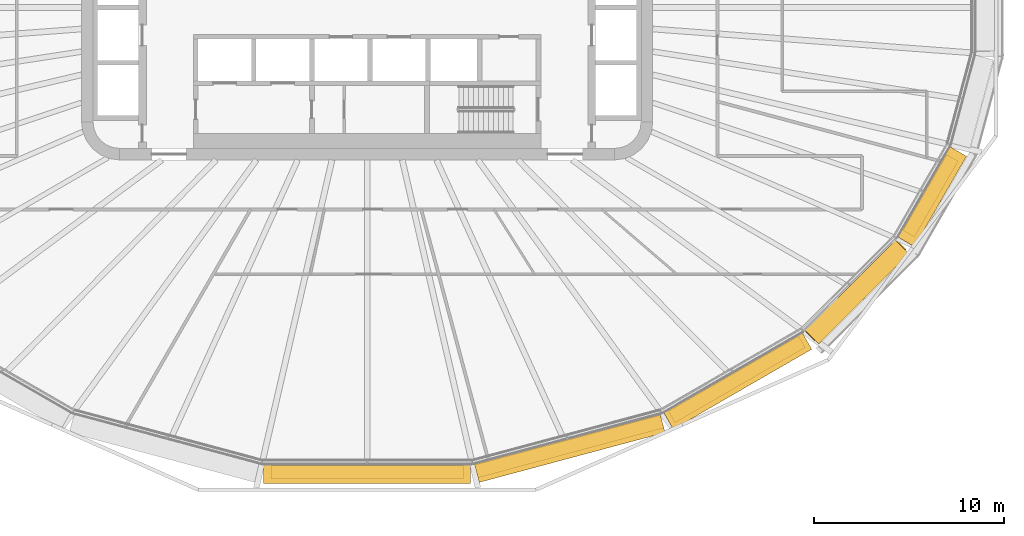
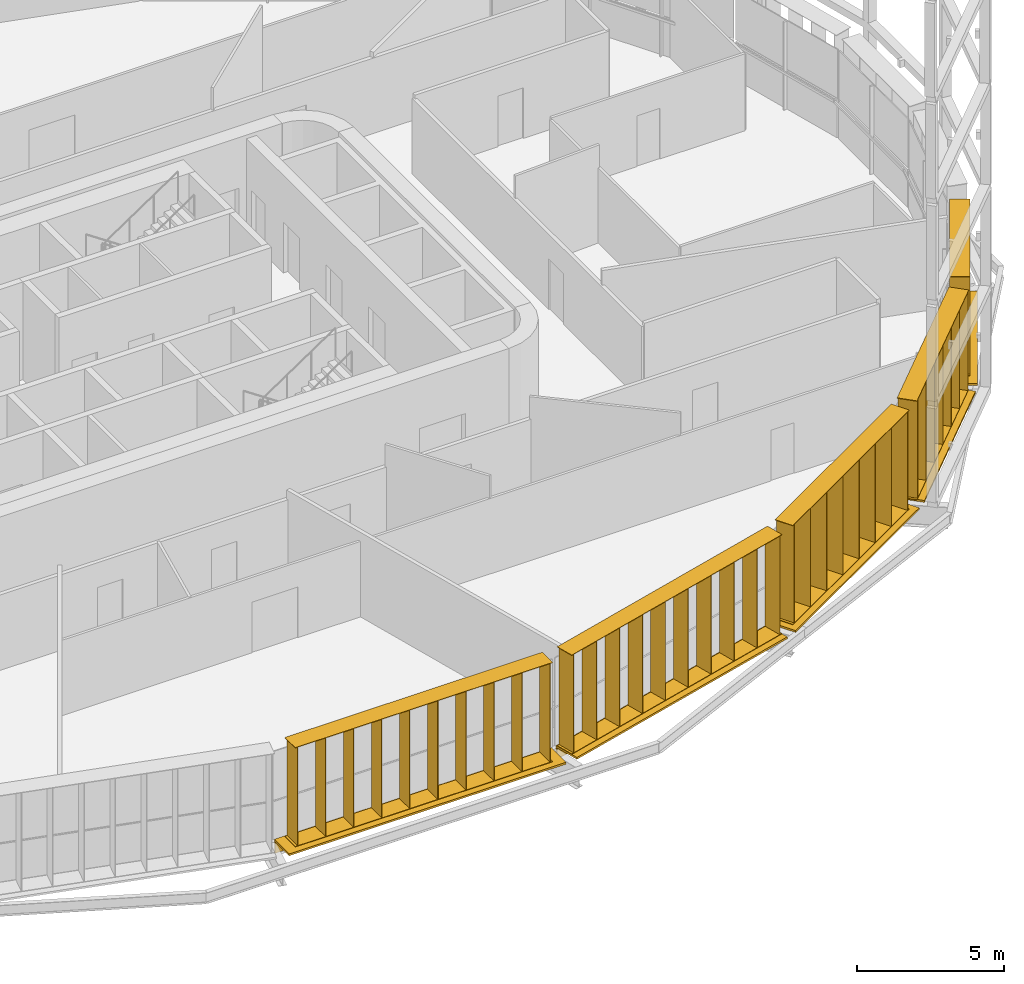
# One storey, part 22 of 26: 10 shading devices.
"""IFC4 building model written with IfcOpenShell, lengths in metres."""

from ifc_helpers import new_model, si_unit, direction, frame, origin, origin_2d, place, context, subcontext, project, spatial, rectangle, extrude, material, type_object, element, save


model = new_model("IFC4")

# Units and contexts
model_context = context("Model", 3, precision=1e-05, world=origin(), true_north=direction((0.0, 1.0)))
body_context = subcontext(model_context, "Body", "Model", "MODEL_VIEW")
ifc_project = project(units=[si_unit("LENGTHUNIT", "METRE"), si_unit("AREAUNIT", "SQUARE_METRE"), si_unit("VOLUMEUNIT", "CUBIC_METRE"), si_unit("PLANEANGLEUNIT", "RADIAN"), si_unit("MASSUNIT", "GRAM", prefix="KILO")], contexts=[model_context])

# Site, building, storey
site_placement = place(None, origin())
site = spatial("IfcSite", under=ifc_project, at=site_placement, CompositionType="ELEMENT")
building_placement = place(site_placement, origin())
building = spatial("IfcBuilding", under=site, at=building_placement, Name="Sahrelin Media Tower", CompositionType="ELEMENT")
storey_placement = place(building_placement, frame((0.0, 0.0, 102.0)))
storey = spatial("IfcBuildingStorey", under=building, at=storey_placement, Name="L19", CompositionType="ELEMENT", Elevation=102.0)

# Shading devices
ifc_material = material(Name="Champagne anodised aluminium 6063-T6", Category="aluminium")
shading_device_type_1 = type_object("IfcShadingDeviceType", Name="Fin cassette", PredefinedType="USERDEFINED", material=ifc_material)
placement_1 = place(storey_placement, frame((0.0, -23.97705078125, 0.0), z_axis=(0.0, 0.0, 1.0), x_axis=(-1.0, 0.0, 0.0)))
element("IfcShadingDevice", 1, at=placement_1, inside=storey, type_object=shading_device_type_1, Name="L19:FIN:L19-18", ObjectType="FIN", PredefinedType="USERDEFINED", context=body_context, shape_type="SweptSolid", body=[
    extrude(rectangle(XDim=10.10009765625, YDim=0.699951171875, at=origin_2d()), frame((0.0, 0.419921875, 0.0)), (0.0, 0.0, 1.0), 0.02001953125),
    extrude(rectangle(XDim=10.10009765625, YDim=0.699951171875, at=origin_2d()), frame((0.0, 0.419921875, 4.10009765625)), (0.0, 0.0, 1.0), 0.02001953125),
    extrude(rectangle(XDim=0.02001953125, YDim=0.699951171875, at=origin_2d()), frame((-4.949951171875, 0.419921875, 0.010009765625), z_axis=(0.0, 0.0, 1.0), x_axis=(1.0, 0.0, 0.0)), (0.0, 0.0, 1.0), 4.10009765625),
    extrude(rectangle(XDim=0.02001953125, YDim=0.699951171875, at=origin_2d()), frame((-3.85009765625, 0.419921875, 0.010009765625), z_axis=(0.0, 0.0, 1.0), x_axis=(1.0, 0.0, 0.0)), (0.0, 0.0, 1.0), 4.10009765625),
    extrude(rectangle(XDim=0.02001953125, YDim=0.699951171875, at=origin_2d()), frame((-2.75, 0.419921875, 0.010009765625), z_axis=(0.0, 0.0, 1.0), x_axis=(1.0, 0.0, 0.0)), (0.0, 0.0, 1.0), 4.10009765625),
    extrude(rectangle(XDim=0.02001953125, YDim=0.699951171875, at=origin_2d()), frame((-1.64990234375, 0.419921875, 0.010009765625), z_axis=(0.0, 0.0, 1.0), x_axis=(1.0, 0.0, 0.0)), (0.0, 0.0, 1.0), 4.10009765625),
    extrude(rectangle(XDim=0.02001953125, YDim=0.699951171875, at=origin_2d()), frame((-0.550048828125, 0.419921875, 0.010009765625), z_axis=(0.0, 0.0, 1.0), x_axis=(1.0, 0.0, 0.0)), (0.0, 0.0, 1.0), 4.10009765625),
    extrude(rectangle(XDim=0.02001953125, YDim=0.699951171875, at=origin_2d()), frame((0.550048828125, 0.419921875, 0.010009765625), z_axis=(0.0, 0.0, 1.0), x_axis=(1.0, 0.0, 0.0)), (0.0, 0.0, 1.0), 4.10009765625),
    extrude(rectangle(XDim=0.02001953125, YDim=0.699951171875, at=origin_2d()), frame((1.64990234375, 0.419921875, 0.010009765625), z_axis=(0.0, 0.0, 1.0), x_axis=(1.0, 0.0, 0.0)), (0.0, 0.0, 1.0), 4.10009765625),
    extrude(rectangle(XDim=0.02001953125, YDim=0.699951171875, at=origin_2d()), frame((2.75, 0.419921875, 0.010009765625), z_axis=(0.0, 0.0, 1.0), x_axis=(1.0, 0.0, 0.0)), (0.0, 0.0, 1.0), 4.10009765625),
    extrude(rectangle(XDim=0.02001953125, YDim=0.699951171875, at=origin_2d()), frame((3.85009765625, 0.419921875, 0.010009765625), z_axis=(0.0, 0.0, 1.0), x_axis=(1.0, 0.0, 0.0)), (0.0, 0.0, 1.0), 4.10009765625),
    extrude(rectangle(XDim=0.02001953125, YDim=0.699951171875, at=origin_2d()), frame((4.949951171875, 0.419921875, 0.010009765625), z_axis=(0.0, 0.0, 1.0), x_axis=(1.0, 0.0, 0.0)), (0.0, 0.0, 1.0), 4.10009765625),
])
placement_2 = place(storey_placement, frame((10.50732421875, -22.643798828125, 0.0), z_axis=(0.0, 0.0, 1.0), x_axis=(-0.965928857556, -0.258807731996, 0.0)))
element("IfcShadingDevice", 2, at=placement_2, inside=storey, type_object=shading_device_type_1, Name="L19:FIN:L19-19", ObjectType="FIN", PredefinedType="USERDEFINED", context=body_context, shape_type="SweptSolid", body=[
    extrude(rectangle(XDim=10.10009765625, YDim=0.699951171875, at=origin_2d()), frame((0.0, 0.419921875, 0.0)), (0.0, 0.0, 1.0), 0.02001953125),
    extrude(rectangle(XDim=10.10009765625, YDim=0.699951171875, at=origin_2d()), frame((0.0, 0.419921875, 4.10009765625)), (0.0, 0.0, 1.0), 0.02001953125),
    extrude(rectangle(XDim=0.02001953125, YDim=0.699951171875, at=origin_2d()), frame((-4.949951171875, 0.419921875, 0.010009765625), z_axis=(0.0, 0.0, 1.0), x_axis=(1.0, 0.0, 0.0)), (0.0, 0.0, 1.0), 4.10009765625),
    extrude(rectangle(XDim=0.02001953125, YDim=0.699951171875, at=origin_2d()), frame((-3.85009765625, 0.419921875, 0.010009765625), z_axis=(0.0, 0.0, 1.0), x_axis=(1.0, 0.0, 0.0)), (0.0, 0.0, 1.0), 4.10009765625),
    extrude(rectangle(XDim=0.02001953125, YDim=0.699951171875, at=origin_2d()), frame((-2.75, 0.419921875, 0.010009765625), z_axis=(0.0, 0.0, 1.0), x_axis=(1.0, 0.0, 0.0)), (0.0, 0.0, 1.0), 4.10009765625),
    extrude(rectangle(XDim=0.02001953125, YDim=0.699951171875, at=origin_2d()), frame((-1.64990234375, 0.419921875, 0.010009765625), z_axis=(0.0, 0.0, 1.0), x_axis=(1.0, 0.0, 0.0)), (0.0, 0.0, 1.0), 4.10009765625),
    extrude(rectangle(XDim=0.02001953125, YDim=0.699951171875, at=origin_2d()), frame((-0.550048828125, 0.419921875, 0.010009765625), z_axis=(0.0, 0.0, 1.0), x_axis=(1.0, 0.0, 0.0)), (0.0, 0.0, 1.0), 4.10009765625),
    extrude(rectangle(XDim=0.02001953125, YDim=0.699951171875, at=origin_2d()), frame((0.550048828125, 0.419921875, 0.010009765625), z_axis=(0.0, 0.0, 1.0), x_axis=(1.0, 0.0, 0.0)), (0.0, 0.0, 1.0), 4.10009765625),
    extrude(rectangle(XDim=0.02001953125, YDim=0.699951171875, at=origin_2d()), frame((1.64990234375, 0.419921875, 0.010009765625), z_axis=(0.0, 0.0, 1.0), x_axis=(1.0, 0.0, 0.0)), (0.0, 0.0, 1.0), 4.10009765625),
    extrude(rectangle(XDim=0.02001953125, YDim=0.699951171875, at=origin_2d()), frame((2.75, 0.419921875, 0.010009765625), z_axis=(0.0, 0.0, 1.0), x_axis=(1.0, 0.0, 0.0)), (0.0, 0.0, 1.0), 4.10009765625),
    extrude(rectangle(XDim=0.02001953125, YDim=0.699951171875, at=origin_2d()), frame((3.85009765625, 0.419921875, 0.010009765625), z_axis=(0.0, 0.0, 1.0), x_axis=(1.0, 0.0, 0.0)), (0.0, 0.0, 1.0), 4.10009765625),
    extrude(rectangle(XDim=0.02001953125, YDim=0.699951171875, at=origin_2d()), frame((4.949951171875, 0.419921875, 0.010009765625), z_axis=(0.0, 0.0, 1.0), x_axis=(1.0, 0.0, 0.0)), (0.0, 0.0, 1.0), 4.10009765625),
])
placement_3 = place(storey_placement, frame((19.20751953125, -19.160400390625, 0.0), z_axis=(0.0, 0.0, 1.0), x_axis=(-0.866019052629, -0.500011000363, 0.0)))
element("IfcShadingDevice", 3, at=placement_3, inside=storey, type_object=shading_device_type_1, Name="L19:FIN:L19-20", ObjectType="FIN", PredefinedType="USERDEFINED", context=body_context, shape_type="SweptSolid", body=[
    extrude(rectangle(XDim=7.89990234375, YDim=0.699951171875, at=origin_2d()), frame((0.0, 0.419921875, 0.0)), (0.0, 0.0, 1.0), 0.02001953125),
    extrude(rectangle(XDim=7.89990234375, YDim=0.699951171875, at=origin_2d()), frame((0.0, 0.419921875, 4.10009765625)), (0.0, 0.0, 1.0), 0.02001953125),
    extrude(rectangle(XDim=0.02001953125, YDim=0.699951171875, at=origin_2d()), frame((-3.85009765625, 0.419921875, 0.010009765625), z_axis=(0.0, 0.0, 1.0), x_axis=(1.0, 0.0, 0.0)), (0.0, 0.0, 1.0), 4.10009765625),
    extrude(rectangle(XDim=0.02001953125, YDim=0.699951171875, at=origin_2d()), frame((-2.75, 0.419921875, 0.010009765625), z_axis=(0.0, 0.0, 1.0), x_axis=(1.0, 0.0, 0.0)), (0.0, 0.0, 1.0), 4.10009765625),
    extrude(rectangle(XDim=0.02001953125, YDim=0.699951171875, at=origin_2d()), frame((-1.64990234375, 0.419921875, 0.010009765625), z_axis=(0.0, 0.0, 1.0), x_axis=(1.0, 0.0, 0.0)), (0.0, 0.0, 1.0), 4.10009765625),
    extrude(rectangle(XDim=0.02001953125, YDim=0.699951171875, at=origin_2d()), frame((-0.550048828125, 0.419921875, 0.010009765625), z_axis=(0.0, 0.0, 1.0), x_axis=(1.0, 0.0, 0.0)), (0.0, 0.0, 1.0), 4.10009765625),
    extrude(rectangle(XDim=0.02001953125, YDim=0.699951171875, at=origin_2d()), frame((0.550048828125, 0.419921875, 0.010009765625), z_axis=(0.0, 0.0, 1.0), x_axis=(1.0, 0.0, 0.0)), (0.0, 0.0, 1.0), 4.10009765625),
    extrude(rectangle(XDim=0.02001953125, YDim=0.699951171875, at=origin_2d()), frame((1.64990234375, 0.419921875, 0.010009765625), z_axis=(0.0, 0.0, 1.0), x_axis=(1.0, 0.0, 0.0)), (0.0, 0.0, 1.0), 4.10009765625),
    extrude(rectangle(XDim=0.02001953125, YDim=0.699951171875, at=origin_2d()), frame((2.75, 0.419921875, 0.010009765625), z_axis=(0.0, 0.0, 1.0), x_axis=(1.0, 0.0, 0.0)), (0.0, 0.0, 1.0), 4.10009765625),
    extrude(rectangle(XDim=0.02001953125, YDim=0.699951171875, at=origin_2d()), frame((3.85009765625, 0.419921875, 0.010009765625), z_axis=(0.0, 0.0, 1.0), x_axis=(1.0, 0.0, 0.0)), (0.0, 0.0, 1.0), 4.10009765625),
])
placement_4 = place(storey_placement, frame((25.371337890625, -14.5703125, 0.0), z_axis=(0.0, 0.0, 1.0), x_axis=(-0.707106781187, -0.707106781187, 0.0)))
element("IfcShadingDevice", 4, at=placement_4, inside=storey, type_object=shading_device_type_1, Name="L19:FIN:L19-21", ObjectType="FIN", PredefinedType="USERDEFINED", context=body_context, shape_type="SweptSolid", body=[
    extrude(rectangle(XDim=6.800048828125, YDim=0.699951171875, at=origin_2d()), frame((0.0, 0.419921875, 0.0)), (0.0, 0.0, 1.0), 0.02001953125),
    extrude(rectangle(XDim=6.800048828125, YDim=0.699951171875, at=origin_2d()), frame((0.0, 0.419921875, 4.10009765625)), (0.0, 0.0, 1.0), 0.02001953125),
    extrude(rectangle(XDim=0.02001953125, YDim=0.699951171875, at=origin_2d()), frame((-3.300048828125, 0.419921875, 0.010009765625), z_axis=(0.0, 0.0, 1.0), x_axis=(1.0, 0.0, 0.0)), (0.0, 0.0, 1.0), 4.10009765625),
    extrude(rectangle(XDim=0.02001953125, YDim=0.699951171875, at=origin_2d()), frame((-2.199951171875, 0.419921875, 0.010009765625), z_axis=(0.0, 0.0, 1.0), x_axis=(1.0, 0.0, 0.0)), (0.0, 0.0, 1.0), 4.10009765625),
    extrude(rectangle(XDim=0.02001953125, YDim=0.699951171875, at=origin_2d()), frame((-1.10009765625, 0.419921875, 0.010009765625), z_axis=(0.0, 0.0, 1.0), x_axis=(1.0, 0.0, 0.0)), (0.0, 0.0, 1.0), 4.10009765625),
    extrude(rectangle(XDim=0.02001953125, YDim=0.699951171875, at=origin_2d()), frame((0.0, 0.419921875, 0.010009765625), z_axis=(0.0, 0.0, 1.0), x_axis=(1.0, 0.0, 0.0)), (0.0, 0.0, 1.0), 4.10009765625),
    extrude(rectangle(XDim=0.02001953125, YDim=0.699951171875, at=origin_2d()), frame((1.10009765625, 0.419921875, 0.010009765625), z_axis=(0.0, 0.0, 1.0), x_axis=(1.0, 0.0, 0.0)), (0.0, 0.0, 1.0), 4.10009765625),
    extrude(rectangle(XDim=0.02001953125, YDim=0.699951171875, at=origin_2d()), frame((2.199951171875, 0.419921875, 0.010009765625), z_axis=(0.0, 0.0, 1.0), x_axis=(1.0, 0.0, 0.0)), (0.0, 0.0, 1.0), 4.10009765625),
    extrude(rectangle(XDim=0.02001953125, YDim=0.699951171875, at=origin_2d()), frame((3.300048828125, 0.419921875, 0.010009765625), z_axis=(0.0, 0.0, 1.0), x_axis=(1.0, 0.0, 0.0)), (0.0, 0.0, 1.0), 4.10009765625),
])
placement_5 = place(storey_placement, frame((29.231689453125, -9.67041015625, 0.0), z_axis=(0.0, 0.0, 1.0), x_axis=(-0.500011000363, -0.866019052629, 0.0)))
element("IfcShadingDevice", 5, at=placement_5, inside=storey, type_object=shading_device_type_1, Name="L19:FIN:L19-22", ObjectType="FIN", PredefinedType="USERDEFINED", context=body_context, shape_type="SweptSolid", body=[
    extrude(rectangle(XDim=4.60009765625, YDim=0.699951171875, at=origin_2d()), frame((0.0, 0.419921875, 0.0)), (0.0, 0.0, 1.0), 0.02001953125),
    extrude(rectangle(XDim=4.60009765625, YDim=0.699951171875, at=origin_2d()), frame((0.0, 0.419921875, 4.10009765625)), (0.0, 0.0, 1.0), 0.02001953125),
    extrude(rectangle(XDim=0.02001953125, YDim=0.699951171875, at=origin_2d()), frame((-2.199951171875, 0.419921875, 0.010009765625), z_axis=(0.0, 0.0, 1.0), x_axis=(1.0, 0.0, 0.0)), (0.0, 0.0, 1.0), 4.10009765625),
    extrude(rectangle(XDim=0.02001953125, YDim=0.699951171875, at=origin_2d()), frame((-1.10009765625, 0.419921875, 0.010009765625), z_axis=(0.0, 0.0, 1.0), x_axis=(1.0, 0.0, 0.0)), (0.0, 0.0, 1.0), 4.10009765625),
    extrude(rectangle(XDim=0.02001953125, YDim=0.699951171875, at=origin_2d()), frame((0.0, 0.419921875, 0.010009765625), z_axis=(0.0, 0.0, 1.0), x_axis=(1.0, 0.0, 0.0)), (0.0, 0.0, 1.0), 4.10009765625),
    extrude(rectangle(XDim=0.02001953125, YDim=0.699951171875, at=origin_2d()), frame((1.10009765625, 0.419921875, 0.010009765625), z_axis=(0.0, 0.0, 1.0), x_axis=(1.0, 0.0, 0.0)), (0.0, 0.0, 1.0), 4.10009765625),
    extrude(rectangle(XDim=0.02001953125, YDim=0.699951171875, at=origin_2d()), frame((2.199951171875, 0.419921875, 0.010009765625), z_axis=(0.0, 0.0, 1.0), x_axis=(1.0, 0.0, 0.0)), (0.0, 0.0, 1.0), 4.10009765625),
])
shading_device_type_2 = type_object("IfcShadingDeviceType", Name="Sunshade band", PredefinedType="USERDEFINED", material=ifc_material)
element("IfcShadingDevice", 6, at=placement_1, inside=storey, type_object=shading_device_type_2, Name="L19:SUN:L19-18", ObjectType="SUNSHADE", PredefinedType="USERDEFINED", context=body_context, shape_type="SweptSolid", body=[
    extrude(rectangle(XDim=10.86181640625, YDim=0.050048828125, at=origin_2d()), frame((0.0, 0.044921875, -0.55126953125)), (0.0, 0.0, 1.0), 0.471435546875),
    extrude(rectangle(XDim=10.86181640625, YDim=1.0, at=origin_2d()), frame((0.0, 0.52001953125, -0.080078125)), (0.0, 0.0, 1.0), 0.080078125),
    extrude(rectangle(XDim=0.10009765625, YDim=0.074951171875, at=origin_2d()), frame((-5.330810546875, -0.017578125, -0.47021484375)), (0.0, 0.0, 1.0), 0.300048828125),
    extrude(rectangle(XDim=0.10009765625, YDim=0.074951171875, at=origin_2d()), frame((-3.553955078125, -0.017578125, -0.47021484375)), (0.0, 0.0, 1.0), 0.300048828125),
    extrude(rectangle(XDim=0.10009765625, YDim=0.074951171875, at=origin_2d()), frame((-1.777099609375, -0.017578125, -0.47021484375)), (0.0, 0.0, 1.0), 0.300048828125),
    extrude(rectangle(XDim=0.10009765625, YDim=0.074951171875, at=origin_2d()), frame((0.0, -0.017578125, -0.47021484375)), (0.0, 0.0, 1.0), 0.300048828125),
    extrude(rectangle(XDim=0.10009765625, YDim=0.074951171875, at=origin_2d()), frame((1.777099609375, -0.017578125, -0.47021484375)), (0.0, 0.0, 1.0), 0.300048828125),
    extrude(rectangle(XDim=0.10009765625, YDim=0.074951171875, at=origin_2d()), frame((3.553955078125, -0.017578125, -0.47021484375)), (0.0, 0.0, 1.0), 0.300048828125),
    extrude(rectangle(XDim=0.10009765625, YDim=0.074951171875, at=origin_2d()), frame((5.330810546875, -0.017578125, -0.47021484375)), (0.0, 0.0, 1.0), 0.300048828125),
])
element("IfcShadingDevice", 7, at=placement_2, inside=storey, type_object=shading_device_type_2, Name="L19:SUN:L19-19", ObjectType="SUNSHADE", PredefinedType="USERDEFINED", context=body_context, shape_type="SweptSolid", body=[
    extrude(rectangle(XDim=10.103759765625, YDim=0.050048828125, at=origin_2d()), frame((0.0, 0.044921875, -0.55126953125)), (0.0, 0.0, 1.0), 0.471435546875),
    extrude(rectangle(XDim=10.103759765625, YDim=1.0, at=origin_2d()), frame((0.0, 0.52001953125, -0.080078125)), (0.0, 0.0, 1.0), 0.080078125),
    extrude(rectangle(XDim=0.10009765625, YDim=0.074951171875, at=origin_2d()), frame((-4.951904296875, -0.017578125, -0.47021484375)), (0.0, 0.0, 1.0), 0.300048828125),
    extrude(rectangle(XDim=0.10009765625, YDim=0.074951171875, at=origin_2d()), frame((-3.30126953125, -0.017578125, -0.47021484375)), (0.0, 0.0, 1.0), 0.300048828125),
    extrude(rectangle(XDim=0.10009765625, YDim=0.074951171875, at=origin_2d()), frame((-1.650634765625, -0.017578125, -0.47021484375)), (0.0, 0.0, 1.0), 0.300048828125),
    extrude(rectangle(XDim=0.10009765625, YDim=0.074951171875, at=origin_2d()), frame((0.0, -0.017578125, -0.47021484375)), (0.0, 0.0, 1.0), 0.300048828125),
    extrude(rectangle(XDim=0.10009765625, YDim=0.074951171875, at=origin_2d()), frame((1.650634765625, -0.017578125, -0.47021484375)), (0.0, 0.0, 1.0), 0.300048828125),
    extrude(rectangle(XDim=0.10009765625, YDim=0.074951171875, at=origin_2d()), frame((3.30126953125, -0.017578125, -0.47021484375)), (0.0, 0.0, 1.0), 0.300048828125),
    extrude(rectangle(XDim=0.10009765625, YDim=0.074951171875, at=origin_2d()), frame((4.951904296875, -0.017578125, -0.47021484375)), (0.0, 0.0, 1.0), 0.300048828125),
])
element("IfcShadingDevice", 8, at=placement_3, inside=storey, type_object=shading_device_type_2, Name="L19:SUN:L19-20", ObjectType="SUNSHADE", PredefinedType="USERDEFINED", context=body_context, shape_type="SweptSolid", body=[
    extrude(rectangle(XDim=8.39990234375, YDim=0.050048828125, at=origin_2d()), frame((0.0, 0.044921875, -0.55126953125)), (0.0, 0.0, 1.0), 0.471435546875),
    extrude(rectangle(XDim=8.39990234375, YDim=1.0, at=origin_2d()), frame((0.0, 0.52001953125, -0.080078125)), (0.0, 0.0, 1.0), 0.080078125),
    extrude(rectangle(XDim=0.10009765625, YDim=0.074951171875, at=origin_2d()), frame((-4.10009765625, -0.017578125, -0.47021484375)), (0.0, 0.0, 1.0), 0.300048828125),
    extrude(rectangle(XDim=0.10009765625, YDim=0.074951171875, at=origin_2d()), frame((-2.4599609375, -0.017578125, -0.47021484375)), (0.0, 0.0, 1.0), 0.300048828125),
    extrude(rectangle(XDim=0.10009765625, YDim=0.074951171875, at=origin_2d()), frame((-0.820068359375, -0.017578125, -0.47021484375)), (0.0, 0.0, 1.0), 0.300048828125),
    extrude(rectangle(XDim=0.10009765625, YDim=0.074951171875, at=origin_2d()), frame((0.820068359375, -0.017578125, -0.47021484375)), (0.0, 0.0, 1.0), 0.300048828125),
    extrude(rectangle(XDim=0.10009765625, YDim=0.074951171875, at=origin_2d()), frame((2.4599609375, -0.017578125, -0.47021484375)), (0.0, 0.0, 1.0), 0.300048828125),
    extrude(rectangle(XDim=0.10009765625, YDim=0.074951171875, at=origin_2d()), frame((4.10009765625, -0.017578125, -0.47021484375)), (0.0, 0.0, 1.0), 0.300048828125),
])
element("IfcShadingDevice", 9, at=placement_4, inside=storey, type_object=shading_device_type_2, Name="L19:SUN:L19-21", ObjectType="SUNSHADE", PredefinedType="USERDEFINED", context=body_context, shape_type="SweptSolid", body=[
    extrude(rectangle(XDim=6.701416015625, YDim=0.050048828125, at=origin_2d()), frame((0.0, 0.044921875, -0.55126953125)), (0.0, 0.0, 1.0), 0.471435546875),
    extrude(rectangle(XDim=6.701416015625, YDim=1.0, at=origin_2d()), frame((0.0, 0.52001953125, -0.080078125)), (0.0, 0.0, 1.0), 0.080078125),
    extrude(rectangle(XDim=0.10009765625, YDim=0.074951171875, at=origin_2d()), frame((-3.250732421875, -0.017578125, -0.47021484375)), (0.0, 0.0, 1.0), 0.300048828125),
    extrude(rectangle(XDim=0.10009765625, YDim=0.074951171875, at=origin_2d()), frame((-1.625244140625, -0.017578125, -0.47021484375)), (0.0, 0.0, 1.0), 0.300048828125),
    extrude(rectangle(XDim=0.10009765625, YDim=0.074951171875, at=origin_2d()), frame((0.0, -0.017578125, -0.47021484375)), (0.0, 0.0, 1.0), 0.300048828125),
    extrude(rectangle(XDim=0.10009765625, YDim=0.074951171875, at=origin_2d()), frame((1.625244140625, -0.017578125, -0.47021484375)), (0.0, 0.0, 1.0), 0.300048828125),
    extrude(rectangle(XDim=0.10009765625, YDim=0.074951171875, at=origin_2d()), frame((3.250732421875, -0.017578125, -0.47021484375)), (0.0, 0.0, 1.0), 0.300048828125),
])
element("IfcShadingDevice", 10, at=placement_5, inside=storey, type_object=shading_device_type_2, Name="L19:SUN:L19-22", ObjectType="SUNSHADE", PredefinedType="USERDEFINED", context=body_context, shape_type="SweptSolid", body=[
    extrude(rectangle(XDim=5.481201171875, YDim=0.050048828125, at=origin_2d()), frame((0.0, 0.044921875, -0.55126953125)), (0.0, 0.0, 1.0), 0.471435546875),
    extrude(rectangle(XDim=5.481201171875, YDim=1.0, at=origin_2d()), frame((0.0, 0.52001953125, -0.080078125)), (0.0, 0.0, 1.0), 0.080078125),
    extrude(rectangle(XDim=0.10009765625, YDim=0.074951171875, at=origin_2d()), frame((-2.640625, -0.017578125, -0.47021484375)), (0.0, 0.0, 1.0), 0.300048828125),
    extrude(rectangle(XDim=0.10009765625, YDim=0.074951171875, at=origin_2d()), frame((-0.880126953125, -0.017578125, -0.47021484375)), (0.0, 0.0, 1.0), 0.300048828125),
    extrude(rectangle(XDim=0.10009765625, YDim=0.074951171875, at=origin_2d()), frame((0.880126953125, -0.017578125, -0.47021484375)), (0.0, 0.0, 1.0), 0.300048828125),
    extrude(rectangle(XDim=0.10009765625, YDim=0.074951171875, at=origin_2d()), frame((2.640625, -0.017578125, -0.47021484375)), (0.0, 0.0, 1.0), 0.300048828125),
])

save(model, "model.ifc")
